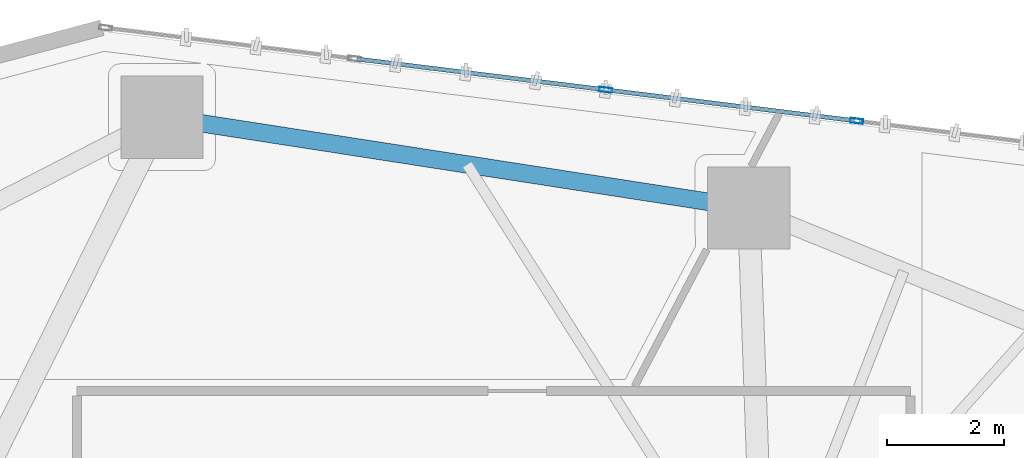
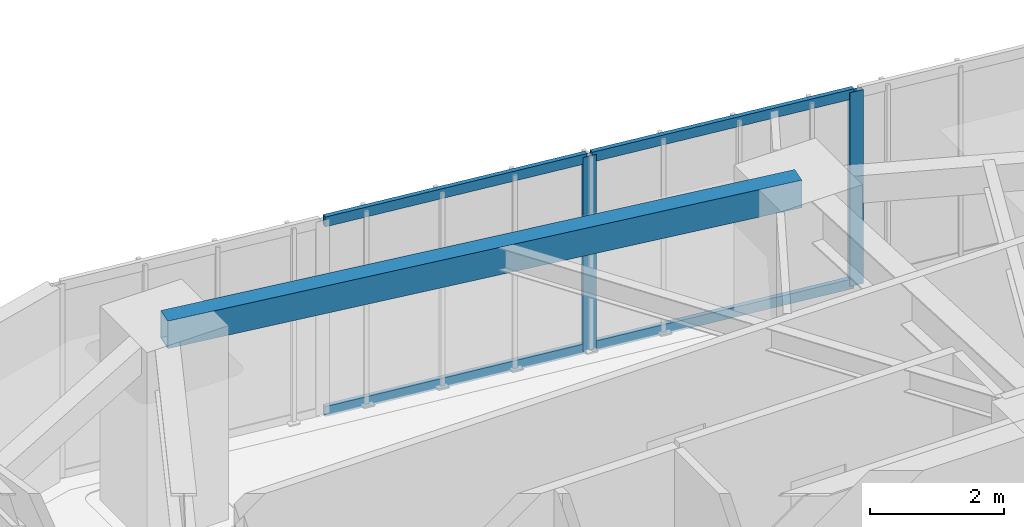
# One storey, part 15 of 23: 6 members, 1 beam, 1 element without a shape of its own.
"""IFC4 building model written with IfcOpenShell, lengths in metres."""

from ifc_helpers import new_model, si_unit, direction, frame, origin, origin_2d, place, context, subcontext, project, spatial, hollow_rectangle, extrude, source, transform, mapped, material, layer, layer_set, material_profile, profile_set, type_object, type_shapes, element, aggregate, save


model = new_model("IFC4")

# Units and contexts
model_context = context("Model", 3, precision=1e-05, world=origin(), true_north=direction((0.0, 1.0)))
body_context = subcontext(model_context, "Body", "Model", "MODEL_VIEW")
ifc_project = project(units=[si_unit("LENGTHUNIT", "METRE"), si_unit("AREAUNIT", "SQUARE_METRE"), si_unit("VOLUMEUNIT", "CUBIC_METRE"), si_unit("PLANEANGLEUNIT", "RADIAN"), si_unit("MASSUNIT", "GRAM", prefix="KILO")], contexts=[model_context])

# Site, building, storey
site_placement = place(None, origin())
site = spatial("IfcSite", under=ifc_project, at=site_placement, CompositionType="ELEMENT")
building_placement = place(site_placement, origin())
building = spatial("IfcBuilding", under=site, at=building_placement, Name="Talar Marvaseh", CompositionType="ELEMENT")
storey_placement = place(building_placement, frame((0.0, 0.0, 69.60009765625)))
storey = spatial("IfcBuildingStorey", under=building, at=storey_placement, Name="L17", CompositionType="ELEMENT", Elevation=69.60009765625)

# Beam
ifc_material_1 = material(Name="Steel S355", Category="steel")
ifc_material_profile_1 = material_profile(ifc_material_1, hollow_rectangle(XDim=0.300048828125, YDim=0.5, WallThickness=0.02001953125, at=origin_2d()), Name="RHS500x300x20")
ifc_profile_set_1 = profile_set([ifc_material_profile_1], Name="Steel S355")
beam_type = type_object("IfcBeamType", Name="Zone 1 Perimeter Spandrel Beam RHS500x300x20", PredefinedType="SPANDREL", material=ifc_profile_set_1)
beam_placement = place(storey_placement, frame((23.047119140625, 45.6669921875, 3.27001953125), z_axis=(0.988210751461, -0.153099675693, 0.0), x_axis=(0.153099675693, 0.988210751461, 0.0)))
element("IfcBeam", 1, at=beam_placement, inside=storey, type_object=beam_type, Name="L17 Zone 1 Perimeter Spandrel Beam RHS500x300x20", PredefinedType="SPANDREL", context=body_context, shape_type="SweptSolid", body=[
    extrude(hollow_rectangle(XDim=0.300048828125, YDim=0.5, WallThickness=0.02001953125, at=origin_2d()), origin(), (0.0, 0.0, 1.0), 10.1181640625),
])

# Curtain wall, members
ifc_material_2 = material(Name="Architectural Aluminium", Category="aluminium")
ifc_layer = layer(ifc_material_2, 0.219970703125)
ifc_layer_set = layer_set([ifc_layer], Name="Architectural Aluminium")
curtain_wall_type = type_object("IfcCurtainWallType", Name="Unitised Low-E Museum Curtain Wall Z1", PredefinedType="NOTDEFINED", material=ifc_layer_set)
curtain_wall_placement = place(storey_placement, origin())
curtain_wall = element("IfcCurtainWall", 2, at=curtain_wall_placement, inside=storey, type_object=curtain_wall_type, Name="L17 Unitised Low-E Museum Curtain Wall Z1", PredefinedType="NOTDEFINED")
ifc_material_profile_2 = material_profile(ifc_material_2, hollow_rectangle(XDim=0.080078125, YDim=0.219970703125, WallThickness=0.0048828125, at=origin_2d()), Name="RHS220x80x5")
ifc_profile_set_2 = profile_set([ifc_material_profile_2], Name="Architectural Aluminium")
member_type_1 = type_object("IfcMemberType", Name="Unitised Curtain Wall Heavy Mullion RHS220x80x5", PredefinedType="MULLION", material=ifc_profile_set_2)
shared_shape_1 = source(origin(), body_context, "Body", "SweptSolid", [
    extrude(hollow_rectangle(XDim=0.080078125, YDim=0.219970703125, WallThickness=0.0048828125, at=origin_2d()), origin(), (0.0, 0.0, 1.0), 3.52001953125),
])
type_shapes(member_type_1, [shared_shape_1])
member_1_placement = place(storey_placement, frame((30.60693359375, 46.1328125, 0.0), z_axis=(0.0, 0.0, 1.0), x_axis=(0.123049205824, 0.992400570811, 0.0)))
member_1 = element("IfcMember", 3, at=member_1_placement, type_object=member_type_1, Name="CW-Z1 mullion 3", PredefinedType="MULLION", context=body_context, shape_type="MappedRepresentation", body=[
    mapped(shared_shape_1, transform((0.0, 0.0, 0.0), x_axis=(1.0, 0.0, 0.0), y_axis=(0.0, 1.0, 0.0), z_axis=(0.0, 0.0, 1.0), scale=1.0)),
])
member_2_placement = place(storey_placement, frame((34.885986328125, 45.602294921875, 0.0), z_axis=(0.0, 0.0, 1.0), x_axis=(0.123049205824, 0.992400570811, 0.0)))
member_2 = element("IfcMember", 4, at=member_2_placement, type_object=member_type_1, Name="CW-Z1 mullion 4", PredefinedType="MULLION", context=body_context, shape_type="MappedRepresentation", body=[
    mapped(shared_shape_1, transform((0.0, 0.0, 0.0), x_axis=(1.0, 0.0, 0.0), y_axis=(0.0, 1.0, 0.0), z_axis=(0.0, 0.0, 1.0), scale=1.0)),
])
ifc_material_profile_3 = material_profile(ifc_material_2, hollow_rectangle(XDim=0.074951171875, YDim=0.179931640625, WallThickness=0.0048828125, at=origin_2d()), Name="RHS180x75x5")
ifc_profile_set_3 = profile_set([ifc_material_profile_3], Name="Architectural Aluminium")
member_type_2 = type_object("IfcMemberType", Name="Unitised Curtain Wall Transom RHS180x75x5", PredefinedType="USERDEFINED", material=ifc_profile_set_3)
shared_shape_2 = source(origin(), body_context, "Body", "SweptSolid", [
    extrude(hollow_rectangle(XDim=0.074951171875, YDim=0.179931640625, WallThickness=0.0048828125, at=origin_2d()), origin(), (0.0, 0.0, 1.0), 4.23193359375),
])
type_shapes(member_type_2, [shared_shape_2])
member_3_placement = place(storey_placement, frame((26.367431640625, 46.658447265625, 0.037353515625), z_axis=(0.99239987526, -0.123054815366, 0.0), x_axis=(0.123054815366, 0.99239987526, 0.0)))
member_3 = element("IfcMember", 5, at=member_3_placement, type_object=member_type_2, Name="CW-Z1 transom 2.1", ObjectType="TRANSOM", PredefinedType="USERDEFINED", context=body_context, shape_type="MappedRepresentation", body=[
    mapped(shared_shape_2, transform((0.0, 0.0, 0.0), x_axis=(1.0, 0.0, 0.0), y_axis=(0.0, 1.0, 0.0), z_axis=(0.0, 0.0, 1.0), scale=1.0)),
])
member_4_placement = place(storey_placement, frame((26.367431640625, 46.658447265625, 3.482421875), z_axis=(0.99239987526, -0.123054815366, 0.0), x_axis=(0.123054815366, 0.99239987526, 0.0)))
member_4 = element("IfcMember", 6, at=member_4_placement, type_object=member_type_2, Name="CW-Z1 transom 2.2", ObjectType="TRANSOM", PredefinedType="USERDEFINED", context=body_context, shape_type="MappedRepresentation", body=[
    mapped(shared_shape_2, transform((0.0, 0.0, 0.0), x_axis=(1.0, 0.0, 0.0), y_axis=(0.0, 1.0, 0.0), z_axis=(0.0, 0.0, 1.0), scale=1.0)),
])
member_5_placement = place(storey_placement, frame((30.646728515625, 46.1279296875, 0.037353515625), z_axis=(0.99239987526, -0.123054815366, 0.0), x_axis=(0.123054815366, 0.99239987526, 0.0)))
member_5 = element("IfcMember", 7, at=member_5_placement, type_object=member_type_2, Name="CW-Z1 transom 3.1", ObjectType="TRANSOM", PredefinedType="USERDEFINED", context=body_context, shape_type="MappedRepresentation", body=[
    mapped(shared_shape_2, transform((0.0, 0.0, 0.0), x_axis=(1.0, 0.0, 0.0), y_axis=(0.0, 1.0, 0.0), z_axis=(0.0, 0.0, 1.0), scale=1.0)),
])
member_6_placement = place(storey_placement, frame((30.646728515625, 46.1279296875, 3.482421875), z_axis=(0.99239987526, -0.123054815366, 0.0), x_axis=(0.123054815366, 0.99239987526, 0.0)))
member_6 = element("IfcMember", 8, at=member_6_placement, type_object=member_type_2, Name="CW-Z1 transom 3.2", ObjectType="TRANSOM", PredefinedType="USERDEFINED", context=body_context, shape_type="MappedRepresentation", body=[
    mapped(shared_shape_2, transform((0.0, 0.0, 0.0), x_axis=(1.0, 0.0, 0.0), y_axis=(0.0, 1.0, 0.0), z_axis=(0.0, 0.0, 1.0), scale=1.0)),
])
aggregate(curtain_wall, [member_1, member_2, member_3, member_4, member_5, member_6])

save(model, "model.ifc")
